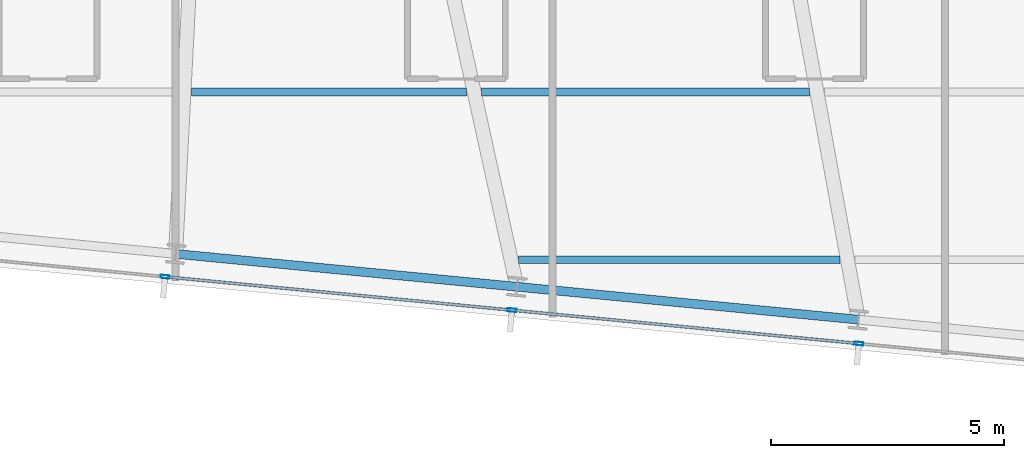
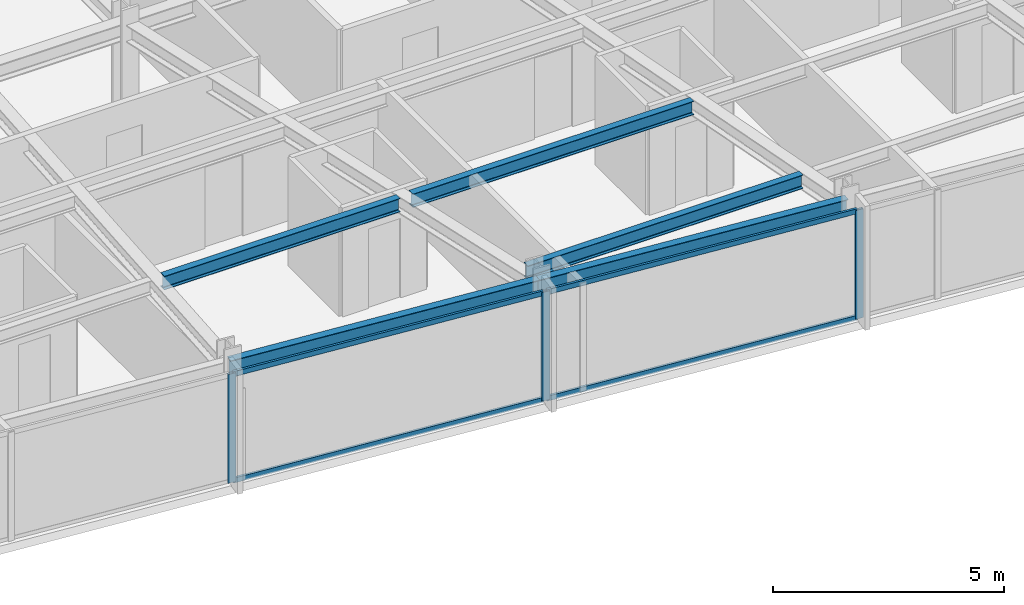
# One storey, part 6 of 37: 7 members, 5 beams, 1 element without a shape of its own.
"""IFC4 building model written with IfcOpenShell, lengths in metres."""

from ifc_helpers import new_model, si_unit, direction, frame, origin, origin_2d, place, context, subcontext, project, spatial, hollow_rectangle, i_section, extrude, material, material_profile, profile_set, type_object, element, aggregate, save


model = new_model("IFC4")

# Units and contexts
model_context = context("Model", 3, precision=1e-05, world=origin(), true_north=direction((0.0, 1.0)))
body_context = subcontext(model_context, "Body", "Model", "MODEL_VIEW")
ifc_project = project(units=[si_unit("LENGTHUNIT", "METRE"), si_unit("AREAUNIT", "SQUARE_METRE"), si_unit("VOLUMEUNIT", "CUBIC_METRE"), si_unit("PLANEANGLEUNIT", "RADIAN"), si_unit("MASSUNIT", "GRAM", prefix="KILO")], contexts=[model_context])

# Site, building, storey
site_placement = place(None, origin())
site = spatial("IfcSite", under=ifc_project, at=site_placement, CompositionType="ELEMENT")
building_placement = place(site_placement, origin())
building = spatial("IfcBuilding", under=site, at=building_placement, Name="Yelkora Congress Tower", CompositionType="ELEMENT")
storey_placement = place(building_placement, frame((0.0, 0.0, 188.60009765625)))
storey = spatial("IfcBuildingStorey", under=building, at=storey_placement, Name="L52", CompositionType="ELEMENT", Elevation=188.60009765625)

# Beams
ifc_material_1 = material(Name="Steel S355J2", Category="steel")
ifc_material_profile_1 = material_profile(ifc_material_1, i_section(OverallWidth=0.169921875, OverallDepth=0.360107421875, WebThickness=0.008056640625, FlangeThickness=0.0126953125, FilletRadius=0.01806640625, at=origin_2d()), Name="IPE 360")
ifc_profile_set_1 = profile_set([ifc_material_profile_1], Name="Steel S355J2")
beam_type_1 = type_object("IfcBeamType", Name="BM-JOIST-IPE360", PredefinedType="JOIST", material=ifc_profile_set_1)
beam_1_placement = place(storey_placement, frame((25.921630859375, 12.8212890625, 2.699951171875), z_axis=(1.0, 0.0, 0.0), x_axis=(0.0, 1.0, 0.0)))
element("IfcBeam", 1, at=beam_1_placement, inside=storey, type_object=beam_type_1, Name="L52 Composite Floor Joist 1", PredefinedType="JOIST", context=body_context, shape_type="SweptSolid", body=[
    extrude(i_section(OverallWidth=0.169921875, OverallDepth=0.360107421875, WebThickness=0.008056640625, FlangeThickness=0.0126953125, FilletRadius=0.01806640625, at=origin_2d()), origin(), (0.0, 0.0, 1.0), 6.896484375),
])
beam_2_placement = place(storey_placement, frame((18.905517578125, 16.421142578125, 2.699951171875), z_axis=(1.0, 0.0, 0.0), x_axis=(0.0, 1.0, 0.0)))
element("IfcBeam", 2, at=beam_2_placement, inside=storey, type_object=beam_type_1, Name="L52 Composite Floor Joist 7", PredefinedType="JOIST", context=body_context, shape_type="SweptSolid", body=[
    extrude(i_section(OverallWidth=0.169921875, OverallDepth=0.360107421875, WebThickness=0.008056640625, FlangeThickness=0.0126953125, FilletRadius=0.01806640625, at=origin_2d()), origin(), (0.0, 0.0, 1.0), 5.904541015625),
])
beam_3_placement = place(storey_placement, frame((25.130126953125, 16.421142578125, 2.699951171875), z_axis=(1.0, 0.0, 0.0), x_axis=(0.0, 1.0, 0.0)))
element("IfcBeam", 3, at=beam_3_placement, inside=storey, type_object=beam_type_1, Name="L52 Composite Floor Joist 8", PredefinedType="JOIST", context=body_context, shape_type="SweptSolid", body=[
    extrude(i_section(OverallWidth=0.169921875, OverallDepth=0.360107421875, WebThickness=0.008056640625, FlangeThickness=0.0126953125, FilletRadius=0.01806640625, at=origin_2d()), origin(), (0.0, 0.0, 1.0), 7.03125),
])
ifc_material_profile_2 = material_profile(ifc_material_1, i_section(OverallWidth=0.18994140625, OverallDepth=0.449951171875, WebThickness=0.009521484375, FlangeThickness=0.0146484375, FilletRadius=0.02099609375, at=origin_2d()), Name="IPE 450")
ifc_profile_set_2 = profile_set([ifc_material_profile_2], Name="Steel S355J2")
beam_type_2 = type_object("IfcBeamType", Name="BM-SPAN-IPE450", PredefinedType="SPANDREL", material=ifc_profile_set_2)
beam_4_placement = place(storey_placement, frame((18.56591796875, 12.947021484375, 2.65478515625), z_axis=(0.99539363353, -0.09587238564, 0.0), x_axis=(0.09587238564, 0.99539363353, 0.0)))
element("IfcBeam", 4, at=beam_4_placement, inside=storey, type_object=beam_type_2, Name="L52 Perimeter Beam 4", PredefinedType="SPANDREL", context=body_context, shape_type="SweptSolid", body=[
    extrude(i_section(OverallWidth=0.18994140625, OverallDepth=0.449951171875, WebThickness=0.009521484375, FlangeThickness=0.0146484375, FilletRadius=0.02099609375, at=origin_2d()), origin(), (0.0, 0.0, 1.0), 7.35693359375),
])
beam_5_placement = place(storey_placement, frame((25.888916015625, 12.24169921875, 2.65478515625), z_axis=(0.995397409467, -0.095833173935, 0.0), x_axis=(0.095833173935, 0.995397409467, 0.0)))
element("IfcBeam", 5, at=beam_5_placement, inside=storey, type_object=beam_type_2, Name="L52 Perimeter Beam 5", PredefinedType="SPANDREL", context=body_context, shape_type="SweptSolid", body=[
    extrude(i_section(OverallWidth=0.18994140625, OverallDepth=0.449951171875, WebThickness=0.009521484375, FlangeThickness=0.0146484375, FilletRadius=0.02099609375, at=origin_2d()), origin(), (0.0, 0.0, 1.0), 7.357421875),
])

# Curtain wall, members
ifc_material_2 = material(Name="Anodised aluminium and insulated glass", Category="aluminium")
curtain_wall_type = type_object("IfcCurtainWallType", Name="CW-SYS-B3", PredefinedType="NOTDEFINED", material=ifc_material_2)
curtain_wall_placement = place(storey_placement, origin())
curtain_wall = element("IfcCurtainWall", 6, at=curtain_wall_placement, inside=storey, type_object=curtain_wall_type, Name="L52 Unitised Curtain Wall 20", PredefinedType="NOTDEFINED")
ifc_material_3 = material(Name="Anodised aluminium 6063-T6", Category="aluminium")
ifc_material_profile_3 = material_profile(ifc_material_3, hollow_rectangle(XDim=0.070068359375, YDim=0.18994140625, WallThickness=0.00390625, at=origin_2d()), Name="ALU 70x190x4")
ifc_profile_set_3 = profile_set([ifc_material_profile_3], Name="Anodised aluminium 6063-T6")
member_type_1 = type_object("IfcMemberType", Name="MEM-ML-B3", PredefinedType="MULLION", material=ifc_profile_set_3)
member_1_placement = place(storey_placement, frame((33.2216796875, 11.0234375, 0.0), z_axis=(0.0, 0.0, 1.0), x_axis=(-0.095844680679, -0.995396301573, 0.0)))
member_1 = element("IfcMember", 7, at=member_1_placement, type_object=member_type_1, Name="CW-B3 mullion 4", PredefinedType="MULLION", context=body_context, shape_type="SweptSolid", body=[
    extrude(hollow_rectangle(XDim=0.070068359375, YDim=0.18994140625, WallThickness=0.00390625, at=origin_2d()), origin(), (0.0, 0.0, 1.0), 2.8798828125),
])
member_2_placement = place(storey_placement, frame((25.78173828125, 11.73974609375, 0.0), z_axis=(0.0, 0.0, 1.0), x_axis=(-0.095844680679, -0.995396301573, 0.0)))
member_2 = element("IfcMember", 8, at=member_2_placement, type_object=member_type_1, Name="CW-B3 mullion 5", PredefinedType="MULLION", context=body_context, shape_type="SweptSolid", body=[
    extrude(hollow_rectangle(XDim=0.070068359375, YDim=0.18994140625, WallThickness=0.00390625, at=origin_2d()), origin(), (0.0, 0.0, 1.0), 2.8798828125),
])
member_3_placement = place(storey_placement, frame((18.342041015625, 12.4560546875, 0.0), z_axis=(0.0, 0.0, 1.0), x_axis=(-0.095844680679, -0.995396301573, 0.0)))
member_3 = element("IfcMember", 9, at=member_3_placement, type_object=member_type_1, Name="CW-B3 mullion 6", PredefinedType="MULLION", context=body_context, shape_type="SweptSolid", body=[
    extrude(hollow_rectangle(XDim=0.070068359375, YDim=0.18994140625, WallThickness=0.00390625, at=origin_2d()), origin(), (0.0, 0.0, 1.0), 2.8798828125),
])
ifc_material_profile_4 = material_profile(ifc_material_3, hollow_rectangle(XDim=0.06005859375, YDim=0.1298828125, WallThickness=0.00390625, at=origin_2d()), Name="ALU 60x130x4")
ifc_profile_set_4 = profile_set([ifc_material_profile_4], Name="Anodised aluminium 6063-T6")
member_type_2 = type_object("IfcMemberType", Name="MEM-TR-B3", PredefinedType="USERDEFINED", material=ifc_profile_set_4)
member_4_placement = place(storey_placement, frame((33.18701171875, 11.02685546875, 0.02978515625), z_axis=(-0.995398934959, 0.095817327669, 0.0), x_axis=(-0.095817327669, -0.995398934959, 0.0)))
member_4 = element("IfcMember", 10, at=member_4_placement, type_object=member_type_2, Name="CW-B3 transom 4.1", ObjectType="TRANSOM", PredefinedType="USERDEFINED", context=body_context, shape_type="SweptSolid", body=[
    extrude(hollow_rectangle(XDim=0.06005859375, YDim=0.1298828125, WallThickness=0.00390625, at=origin_2d()), origin(), (0.0, 0.0, 1.0), 7.404541015625),
])
member_5_placement = place(storey_placement, frame((33.18701171875, 11.02685546875, 2.849853515625), z_axis=(-0.995398934959, 0.095817327669, 0.0), x_axis=(-0.095817327669, -0.995398934959, 0.0)))
member_5 = element("IfcMember", 11, at=member_5_placement, type_object=member_type_2, Name="CW-B3 transom 4.2", ObjectType="TRANSOM", PredefinedType="USERDEFINED", context=body_context, shape_type="SweptSolid", body=[
    extrude(hollow_rectangle(XDim=0.06005859375, YDim=0.1298828125, WallThickness=0.00390625, at=origin_2d()), origin(), (0.0, 0.0, 1.0), 7.404541015625),
])
member_6_placement = place(storey_placement, frame((25.7470703125, 11.7431640625, 0.02978515625), z_axis=(-0.995395789658, 0.095849997036, 0.0), x_axis=(-0.095849997036, -0.995395789658, 0.0)))
member_6 = element("IfcMember", 12, at=member_6_placement, type_object=member_type_2, Name="CW-B3 transom 5.1", ObjectType="TRANSOM", PredefinedType="USERDEFINED", context=body_context, shape_type="SweptSolid", body=[
    extrude(hollow_rectangle(XDim=0.06005859375, YDim=0.1298828125, WallThickness=0.00390625, at=origin_2d()), origin(), (0.0, 0.0, 1.0), 7.404541015625),
])
member_7_placement = place(storey_placement, frame((25.7470703125, 11.7431640625, 2.849853515625), z_axis=(-0.995395789658, 0.095849997036, 0.0), x_axis=(-0.095849997036, -0.995395789658, 0.0)))
member_7 = element("IfcMember", 13, at=member_7_placement, type_object=member_type_2, Name="CW-B3 transom 5.2", ObjectType="TRANSOM", PredefinedType="USERDEFINED", context=body_context, shape_type="SweptSolid", body=[
    extrude(hollow_rectangle(XDim=0.06005859375, YDim=0.1298828125, WallThickness=0.00390625, at=origin_2d()), origin(), (0.0, 0.0, 1.0), 7.404541015625),
])
aggregate(curtain_wall, [member_1, member_2, member_3, member_4, member_5, member_6, member_7])

save(model, "model.ifc")
